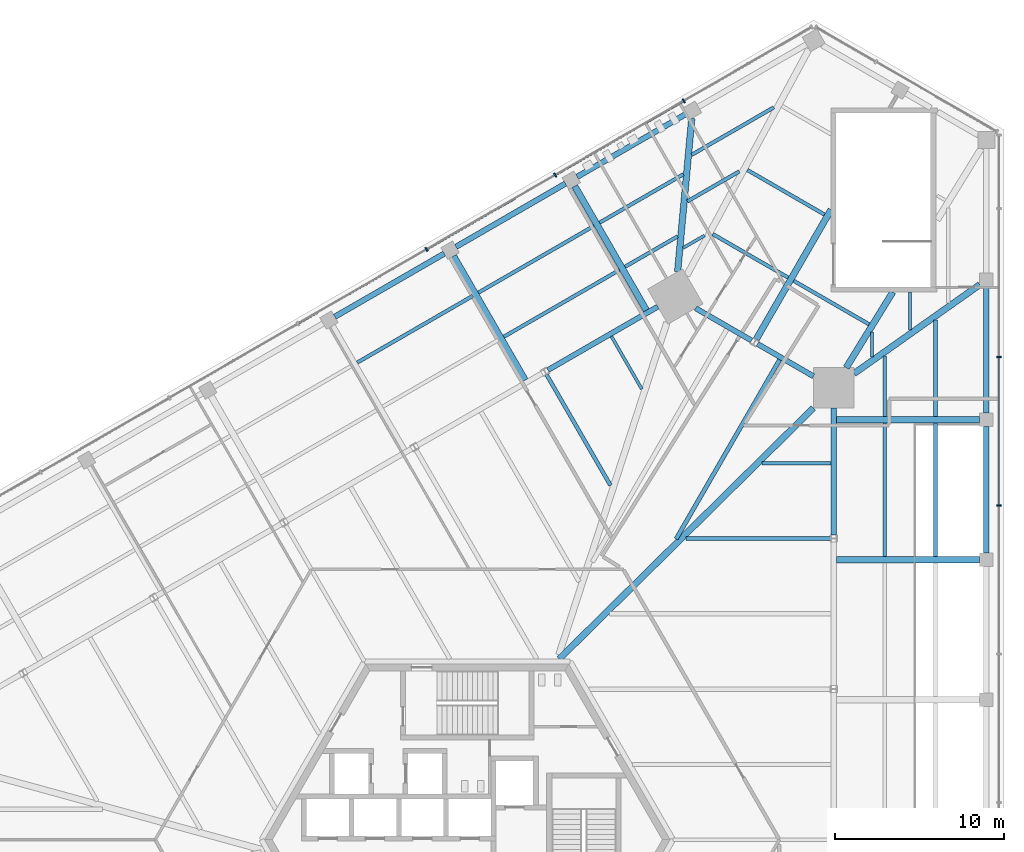
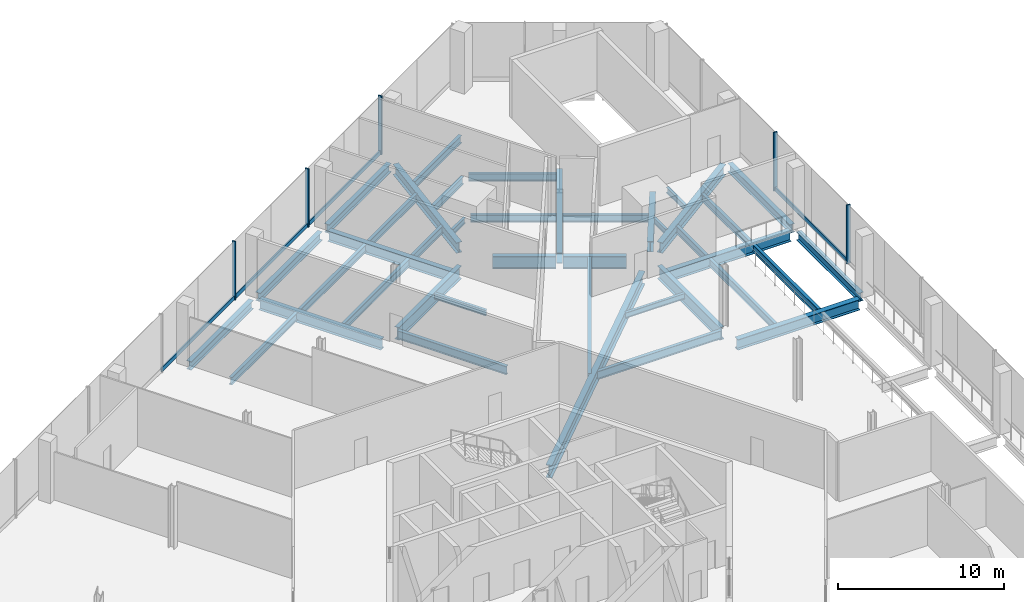
# One storey, part 14 of 25: 40 beams, 9 members, 2 elements without a shape of their own.
"""IFC4 building model written with IfcOpenShell, lengths in metres."""

from ifc_helpers import new_model, si_unit, direction, frame, origin, origin_2d, place, context, subcontext, project, spatial, rectangle, i_section, extrude, source, transform, mapped, material, material_profile, profile_set, type_object, element, aggregate, save


model = new_model("IFC4")

# Units and contexts
model_context = context("Model", 3, precision=1e-05, world=origin(), true_north=direction((0.0, 1.0)))
body_context = subcontext(model_context, "Body", "Model", "MODEL_VIEW")
ifc_project = project(units=[si_unit("LENGTHUNIT", "METRE"), si_unit("AREAUNIT", "SQUARE_METRE"), si_unit("VOLUMEUNIT", "CUBIC_METRE"), si_unit("PLANEANGLEUNIT", "RADIAN"), si_unit("MASSUNIT", "GRAM", prefix="KILO")], contexts=[model_context])

# Site, building, storey
site_placement = place(None, origin())
site = spatial("IfcSite", under=ifc_project, at=site_placement, CompositionType="ELEMENT")
building_placement = place(site_placement, origin())
building = spatial("IfcBuilding", under=site, at=building_placement, Name="Triune Harvest Tower", CompositionType="ELEMENT")
storey_placement = place(building_placement, frame((0.0, 0.0, 11.5)))
storey = spatial("IfcBuildingStorey", under=building, at=storey_placement, Name="L02", CompositionType="ELEMENT", Elevation=11.5)

# Beams
ifc_material_1 = material(Name="Steel ASTM A992 Gr 50", Category="steel")
ifc_material_profile_1 = material_profile(ifc_material_1, i_section(OverallWidth=0.309814453125, OverallDepth=0.93212890625, WebThickness=0.02099609375, FlangeThickness=0.034423828125, at=origin_2d()), Name="W36x210")
ifc_profile_set_1 = profile_set([ifc_material_profile_1], Name="Steel ASTM A992 Gr 50")
beam_type_1 = type_object("IfcBeamType", Name="SB-3 Spandrel beam W36x210", PredefinedType="SPANDREL", material=ifc_profile_set_1)
shared_shape_1 = source(origin(), body_context, "Body", "SweptSolid", [
    extrude(i_section(OverallWidth=0.309814453125, OverallDepth=0.93212890625, WebThickness=0.02099609375, FlangeThickness=0.034423828125, at=origin_2d()), origin(), (0.0, 0.0, 1.0), 7.508056640625),
])
beam_1_placement = place(storey_placement, frame((21.679443359375, 18.02197265625, -0.666015625), z_axis=(0.0, 1.0, 0.0), x_axis=(-1.0, 0.0, 0.0)))
element("IfcBeam", 1, at=beam_1_placement, inside=storey, type_object=beam_type_1, Name="beam/L02/SB6", PredefinedType="SPANDREL", context=body_context, shape_type="MappedRepresentation", body=[
    mapped(shared_shape_1, transform((0.0, 0.0, 0.0), scale=1.0)),
])
shared_shape_2 = source(origin(), body_context, "Body", "SweptSolid", [
    extrude(i_section(OverallWidth=0.309814453125, OverallDepth=0.93212890625, WebThickness=0.02099609375, FlangeThickness=0.034423828125, at=origin_2d()), origin(), (0.0, 0.0, 1.0), 3.822265625),
])
beam_2_placement = place(storey_placement, frame((20.4794921875, 27.4228515625, -0.666015625), z_axis=(-0.866033487859, 0.499985997711, 0.0), x_axis=(-0.499985997711, -0.866033487859, 0.0)))
element("IfcBeam", 2, at=beam_2_placement, inside=storey, type_object=beam_type_1, Name="beam/L02/SB7", PredefinedType="SPANDREL", context=body_context, shape_type="MappedRepresentation", body=[
    mapped(shared_shape_2, transform((0.0, 0.0, 0.0), scale=1.0)),
])
shared_shape_3 = source(origin(), body_context, "Body", "SweptSolid", [
    extrude(i_section(OverallWidth=0.309814453125, OverallDepth=0.93212890625, WebThickness=0.02099609375, FlangeThickness=0.034423828125, at=origin_2d()), origin(), (0.0, 0.0, 1.0), 3.822509765625),
])
beam_3_placement = place(storey_placement, frame((16.8193359375, 29.535888671875, -0.666015625), z_axis=(-0.866005830769, 0.500033899925, 0.0), x_axis=(-0.500033899925, -0.866005830769, 0.0)))
element("IfcBeam", 3, at=beam_3_placement, inside=storey, type_object=beam_type_1, Name="beam/L02/SB8", PredefinedType="SPANDREL", context=body_context, shape_type="MappedRepresentation", body=[
    mapped(shared_shape_3, transform((0.0, 0.0, 0.0), scale=1.0)),
])
shared_shape_4 = source(origin(), body_context, "Body", "SweptSolid", [
    extrude(i_section(OverallWidth=0.309814453125, OverallDepth=0.93212890625, WebThickness=0.02099609375, FlangeThickness=0.034423828125, at=origin_2d()), origin(), (0.0, 0.0, 1.0), 7.50830078125),
])
beam_4_placement = place(storey_placement, frame((11.27001953125, 31.5400390625, -0.666015625), z_axis=(-0.866027474485, -0.499996413425, 0.0), x_axis=(0.499996413425, -0.866027474485, 0.0)))
element("IfcBeam", 4, at=beam_4_placement, inside=storey, type_object=beam_type_1, Name="beam/L02/SB9", PredefinedType="SPANDREL", context=body_context, shape_type="MappedRepresentation", body=[
    mapped(shared_shape_4, transform((0.0, 0.0, 0.0), scale=1.0)),
])
ifc_material_2 = material(Name="Steel ASTM A992 Gr 50", Category="steel")
ifc_material_profile_2 = material_profile(ifc_material_2, i_section(OverallWidth=0.383544921875, OverallDepth=0.9423828125, WebThickness=0.022216796875, FlangeThickness=0.039794921875, at=origin_2d()), Name="W36x232")
ifc_profile_set_2 = profile_set([ifc_material_profile_2], Name="Steel ASTM A992 Gr 50")
beam_type_2 = type_object("IfcBeamType", Name="HG-1 Hip girder W36x232", PredefinedType="BEAM", material=ifc_profile_set_2)
shared_shape_5 = source(origin(), body_context, "Body", "SweptSolid", [
    extrude(i_section(OverallWidth=0.383544921875, OverallDepth=0.9423828125, WebThickness=0.022216796875, FlangeThickness=0.039794921875, at=origin_2d()), origin(), (0.0, 0.0, 1.0), 21.132568359375),
])
beam_5_placement = place(storey_placement, frame((20.4794921875, 25.545166015625, -0.671142578125), z_axis=(-0.711563602244, -0.7026216905, 0.0), x_axis=(0.7026216905, -0.711563602244, 0.0)))
element("IfcBeam", 5, at=beam_5_placement, inside=storey, type_object=beam_type_2, Name="beam/L02/HG2", PredefinedType="BEAM", context=body_context, shape_type="MappedRepresentation", body=[
    mapped(shared_shape_5, transform((0.0, 0.0, 0.0), scale=1.0)),
])
ifc_material_3 = material(Name="Steel ASTM A992 Gr 50", Category="steel")
ifc_material_profile_3 = material_profile(ifc_material_3, i_section(OverallWidth=0.180908203125, OverallDepth=0.41650390625, WebThickness=0.010986328125, FlangeThickness=0.01806640625, at=origin_2d()), Name="W16x57")
ifc_profile_set_3 = profile_set([ifc_material_profile_3], Name="Steel ASTM A992 Gr 50")
beam_type_3 = type_object("IfcBeamType", Name="JT-1 Floor joist W16x57", PredefinedType="JOIST", material=ifc_profile_set_3)
shared_shape_6 = source(origin(), body_context, "Body", "SweptSolid", [
    extrude(i_section(OverallWidth=0.180908203125, OverallDepth=0.41650390625, WebThickness=0.010986328125, FlangeThickness=0.01806640625, at=origin_2d()), origin(), (0.0, 0.0, 1.0), 3.596923828125),
])
beam_6_placement = place(storey_placement, frame((8.5283203125, 29.7783203125, -0.408203125), z_axis=(0.500029927959, -0.86600812418, 0.0), x_axis=(0.86600812418, 0.500029927959, 0.0)))
element("IfcBeam", 6, at=beam_6_placement, inside=storey, type_object=beam_type_3, Name="beam/L02/JT14", PredefinedType="JOIST", context=body_context, shape_type="MappedRepresentation", body=[
    mapped(shared_shape_6, transform((0.0, 0.0, 0.0), scale=1.0)),
])
ifc_material_4 = material(Name="Steel ASTM A992 Gr 50", Category="steel")
ifc_material_profile_4 = material_profile(ifc_material_4, i_section(OverallWidth=0.22900390625, OverallDepth=0.612060546875, WebThickness=0.011962890625, FlangeThickness=0.01953125, at=origin_2d()), Name="W24x84")
ifc_profile_set_4 = profile_set([ifc_material_profile_4], Name="Steel ASTM A992 Gr 50")
beam_type_4 = type_object("IfcBeamType", Name="JT-3 Floor joist W24x84", PredefinedType="JOIST", material=ifc_profile_set_4)
shared_shape_7 = source(origin(), body_context, "Body", "SweptSolid", [
    extrude(i_section(OverallWidth=0.22900390625, OverallDepth=0.612060546875, WebThickness=0.011962890625, FlangeThickness=0.01953125, at=origin_2d()), origin(), (0.0, 0.0, 1.0), 8.54736328125),
])
beam_7_placement = place(storey_placement, frame((21.476318359375, 17.820068359375, -0.506103515625), z_axis=(-1.0, 0.0, 0.0), x_axis=(0.0, -1.0, 0.0)))
element("IfcBeam", 7, at=beam_7_placement, inside=storey, type_object=beam_type_4, Name="beam/L02/JT10", PredefinedType="JOIST", context=body_context, shape_type="MappedRepresentation", body=[
    mapped(shared_shape_7, transform((0.0, 0.0, 0.0), scale=1.0)),
])
shared_shape_8 = source(origin(), body_context, "Body", "SweptSolid", [
    extrude(i_section(OverallWidth=0.180908203125, OverallDepth=0.41650390625, WebThickness=0.010986328125, FlangeThickness=0.01806640625, at=origin_2d()), origin(), (0.0, 0.0, 1.0), 4.083984375),
])
beam_8_placement = place(storey_placement, frame((21.524658203125, 22.27490234375, -0.408203125), z_axis=(-1.0, 0.0, 0.0), x_axis=(0.0, -1.0, 0.0)))
element("IfcBeam", 8, at=beam_8_placement, inside=storey, type_object=beam_type_3, Name="beam/L02/JT11", PredefinedType="JOIST", context=body_context, shape_type="MappedRepresentation", body=[
    mapped(shared_shape_8, transform((0.0, 0.0, 0.0), scale=1.0)),
])
ifc_material_5 = material(Name="Steel ASTM A992 Gr 50", Category="steel")
ifc_material_profile_5 = material_profile(ifc_material_5, i_section(OverallWidth=0.253662109375, OverallDepth=0.683349609375, WebThickness=0.012451171875, FlangeThickness=0.01904296875, at=origin_2d()), Name="W27x94")
ifc_profile_set_5 = profile_set([ifc_material_profile_5], Name="Steel ASTM A992 Gr 50")
beam_type_5 = type_object("IfcBeamType", Name="JT-4 Floor joist W27x94", PredefinedType="JOIST", material=ifc_profile_set_5)
shared_shape_9 = source(origin(), body_context, "Body", "SweptSolid", [
    extrude(i_section(OverallWidth=0.253662109375, OverallDepth=0.683349609375, WebThickness=0.012451171875, FlangeThickness=0.01904296875, at=origin_2d()), origin(), (0.0, 0.0, 1.0), 12.24853515625),
])
beam_9_placement = place(storey_placement, frame((18.478515625, 28.399169921875, -0.54150390625), z_axis=(-0.500004268083, -0.866022939592, 0.0), x_axis=(0.866022939592, -0.500004268083, 0.0)))
element("IfcBeam", 9, at=beam_9_placement, inside=storey, type_object=beam_type_5, Name="beam/L02/JT12", PredefinedType="JOIST", context=body_context, shape_type="MappedRepresentation", body=[
    mapped(shared_shape_9, transform((0.0, 0.0, 0.0), scale=1.0)),
])
shared_shape_10 = source(origin(), body_context, "Body", "SweptSolid", [
    extrude(i_section(OverallWidth=0.22900390625, OverallDepth=0.612060546875, WebThickness=0.011962890625, FlangeThickness=0.01953125, at=origin_2d()), origin(), (0.0, 0.0, 1.0), 7.55859375),
])
beam_10_placement = place(storey_placement, frame((4.6943359375, 27.509033203125, -0.506103515625), z_axis=(0.500002049001, -0.86602422079, 0.0), x_axis=(0.86602422079, 0.500002049001, 0.0)))
element("IfcBeam", 10, at=beam_10_placement, inside=storey, type_object=beam_type_4, Name="beam/L02/JT15", PredefinedType="JOIST", context=body_context, shape_type="MappedRepresentation", body=[
    mapped(shared_shape_10, transform((0.0, 0.0, 0.0), scale=1.0)),
])
ifc_material_6 = material(Name="Steel ASTM A992 Gr 50", Category="steel")
ifc_material_profile_6 = material_profile(ifc_material_6, i_section(OverallWidth=0.32763671875, OverallDepth=0.62744140625, WebThickness=0.0166015625, FlangeThickness=0.027587890625, at=origin_2d()), Name="W24x146")
ifc_profile_set_6 = profile_set([ifc_material_profile_6], Name="Steel ASTM A992 Gr 50")
beam_type_6 = type_object("IfcBeamType", Name="PD-4 Podium edge beam W24x146", PredefinedType="BEAM", material=ifc_profile_set_6)
shared_shape_11 = source(origin(), body_context, "Body", "SweptSolid", [
    extrude(i_section(OverallWidth=0.32763671875, OverallDepth=0.62744140625, WebThickness=0.0166015625, FlangeThickness=0.027587890625, at=origin_2d()), origin(), (0.0, 0.0, 1.0), 7.47998046875),
])
for number, where, z_axis, x_axis, name in (
    (11, (30.715087890625, 16.9599609375, -0.513671875), (0.0, 1.0, 0.0), (-1.0, 0.0, 0.0), "beam/L02/PE8"),
    (12, (30.715087890625, 25.239990234375, -0.513671875), (0.0, 1.0, 0.0), (-1.0, 0.0, 0.0), "beam/L02/PE9"),
    (13, (12.978759765625, 42.9599609375, -0.513671875), (-0.866023067432, -0.500004046659, 0.0), (0.500004046659, -0.866023067432, 0.0), "beam/L02/PE15"),
):
    element("IfcBeam", number, at=place(storey_placement, frame(where, z_axis=z_axis, x_axis=x_axis)), inside=storey, type_object=beam_type_6, Name=name, PredefinedType="BEAM", context=body_context, shape_type="MappedRepresentation", body=[
        mapped(shared_shape_11, transform((0.0, 0.0, 0.0), scale=1.0)),
    ])
shared_shape_12 = source(origin(), body_context, "Body", "SweptSolid", [
    extrude(i_section(OverallWidth=0.32763671875, OverallDepth=0.62744140625, WebThickness=0.0166015625, FlangeThickness=0.027587890625, at=origin_2d()), origin(), (0.0, 0.0, 1.0), 7.480224609375),
])
for number, where, z_axis, x_axis, name in (
    (14, (5.80810546875, 38.820068359375, -0.513671875), (-0.866031227086, -0.49998991361, 0.0), (0.49998991361, -0.866031227086, 0.0), "beam/L02/PE16"),
    (15, (-1.362548828125, 34.679931640625, -0.513671875), (-0.866031227086, -0.49998991361, 0.0), (0.49998991361, -0.866031227086, 0.0), "beam/L02/PE17"),
):
    element("IfcBeam", number, at=place(storey_placement, frame(where, z_axis=z_axis, x_axis=x_axis)), inside=storey, type_object=beam_type_6, Name=name, PredefinedType="BEAM", context=body_context, shape_type="MappedRepresentation", body=[
        mapped(shared_shape_12, transform((0.0, 0.0, 0.0), scale=1.0)),
    ])
ifc_material_7 = material(Name="Steel ASTM A992 Gr 50", Category="steel")
ifc_material_profile_7 = material_profile(ifc_material_7, i_section(OverallWidth=0.381103515625, OverallDepth=0.772216796875, WebThickness=0.0166015625, FlangeThickness=0.027099609375, at=origin_2d()), Name="W30x173")
ifc_profile_set_7 = profile_set([ifc_material_profile_7], Name="Steel ASTM A992 Gr 50")
beam_type_7 = type_object("IfcBeamType", Name="PD-3 Podium girder W30x173", PredefinedType="BEAM", material=ifc_profile_set_7)
shared_shape_13 = source(origin(), body_context, "Body", "SweptSolid", [
    extrude(i_section(OverallWidth=0.381103515625, OverallDepth=0.772216796875, WebThickness=0.0166015625, FlangeThickness=0.027099609375, at=origin_2d()), origin(), (0.0, 0.0, 1.0), 5.249755859375),
])
beam_11_placement = place(storey_placement, frame((25.171875, 32.39990234375, -0.586181640625), z_axis=(-0.524432098378, -0.851452273584, 0.0), x_axis=(0.851452273584, -0.524432098378, 0.0)))
element("IfcBeam", 16, at=beam_11_placement, inside=storey, type_object=beam_type_7, Name="beam/L02/PR13", PredefinedType="BEAM", context=body_context, shape_type="MappedRepresentation", body=[
    mapped(shared_shape_13, transform((0.0, 0.0, 0.0), scale=1.0)),
])
shared_shape_14 = source(origin(), body_context, "Body", "SweptSolid", [
    extrude(i_section(OverallWidth=0.381103515625, OverallDepth=0.772216796875, WebThickness=0.0166015625, FlangeThickness=0.027099609375, at=origin_2d()), origin(), (0.0, 0.0, 1.0), 9.107421875),
])
beam_12_placement = place(storey_placement, frame((30.315185546875, 32.837158203125, -0.586181640625), z_axis=(-0.816463107169, -0.577397605323, 0.0), x_axis=(0.577397605323, -0.816463107169, 0.0)))
element("IfcBeam", 17, at=beam_12_placement, inside=storey, type_object=beam_type_7, Name="beam/L02/PR11", PredefinedType="BEAM", context=body_context, shape_type="MappedRepresentation", body=[
    mapped(shared_shape_14, transform((0.0, 0.0, 0.0), scale=1.0)),
])
shared_shape_15 = source(origin(), body_context, "Body", "SweptSolid", [
    extrude(i_section(OverallWidth=0.381103515625, OverallDepth=0.772216796875, WebThickness=0.0166015625, FlangeThickness=0.027099609375, at=origin_2d()), origin(), (0.0, 0.0, 1.0), 8.480712890625),
])
for number, where, z_axis, x_axis, name in (
    (18, (30.315185546875, 16.56005859375, -0.586181640625), (-1.0, 0.0, 0.0), (0.0, -1.0, 0.0), "beam/L02/PR9"),
    (19, (30.315185546875, 24.840087890625, -0.586181640625), (-1.0, 0.0, 0.0), (0.0, -1.0, 0.0), "beam/L02/PR10"),
    (20, (6.3544921875, 38.673583984375, -0.586181640625), (0.499990755813, -0.866030740852, 0.0), (0.866030740852, 0.499990755813, 0.0), "beam/L02/PR18"),
    (21, (-0.816162109375, 34.53369140625, -0.586181640625), (0.499990755813, -0.866030740852, 0.0), (0.866030740852, 0.499990755813, 0.0), "beam/L02/PR19"),
):
    element("IfcBeam", number, at=place(storey_placement, frame(where, z_axis=z_axis, x_axis=x_axis)), inside=storey, type_object=beam_type_7, Name=name, PredefinedType="BEAM", context=body_context, shape_type="MappedRepresentation", body=[
        mapped(shared_shape_15, transform((0.0, 0.0, 0.0), scale=1.0)),
    ])
shared_shape_16 = source(origin(), body_context, "Body", "SweptSolid", [
    extrude(i_section(OverallWidth=0.381103515625, OverallDepth=0.772216796875, WebThickness=0.0166015625, FlangeThickness=0.027099609375, at=origin_2d()), origin(), (0.0, 0.0, 1.0), 8.84814453125),
])
beam_13_placement = place(storey_placement, frame((21.52001953125, 37.273681640625, -0.586181640625), z_axis=(-0.500005886554, -0.866022005154, 0.0), x_axis=(0.866022005154, -0.500005886554, 0.0)))
element("IfcBeam", 22, at=beam_13_placement, inside=storey, type_object=beam_type_7, Name="beam/L02/PR15", PredefinedType="BEAM", context=body_context, shape_type="MappedRepresentation", body=[
    mapped(shared_shape_16, transform((0.0, 0.0, 0.0), scale=1.0)),
])
shared_shape_17 = source(origin(), body_context, "Body", "SweptSolid", [
    extrude(i_section(OverallWidth=0.381103515625, OverallDepth=0.772216796875, WebThickness=0.0166015625, FlangeThickness=0.027099609375, at=origin_2d()), origin(), (0.0, 0.0, 1.0), 9.107177734375),
])
beam_14_placement = place(storey_placement, frame((13.2802734375, 42.672119140625, -0.586181640625), z_axis=(-0.091816732647, -0.995775922387, 0.0), x_axis=(0.995775922387, -0.091816732647, 0.0)))
element("IfcBeam", 23, at=beam_14_placement, inside=storey, type_object=beam_type_7, Name="beam/L02/PR17", PredefinedType="BEAM", context=body_context, shape_type="MappedRepresentation", body=[
    mapped(shared_shape_17, transform((0.0, 0.0, 0.0), scale=1.0)),
])
ifc_material_8 = material(Name="Steel ASTM A992 Gr 50", Category="steel")
ifc_material_profile_8 = material_profile(ifc_material_8, i_section(OverallWidth=0.180908203125, OverallDepth=0.41650390625, WebThickness=0.010986328125, FlangeThickness=0.01806640625, at=origin_2d()), Name="W16x57")
ifc_profile_set_8 = profile_set([ifc_material_profile_8], Name="Steel ASTM A992 Gr 50")
beam_type_8 = type_object("IfcBeamType", Name="PD-6 Podium short joist W16x57", PredefinedType="JOIST", material=ifc_profile_set_8)
shared_shape_18 = source(origin(), body_context, "Body", "SweptSolid", [
    extrude(i_section(OverallWidth=0.180908203125, OverallDepth=0.41650390625, WebThickness=0.010986328125, FlangeThickness=0.01806640625, at=origin_2d()), origin(), (0.0, 0.0, 1.0), 2.24169921875),
])
beam_15_placement = place(storey_placement, frame((26.197265625, 30.158203125, -0.408203125), z_axis=(0.0, 1.0, 0.0), x_axis=(-1.0, 0.0, 0.0)))
element("IfcBeam", 24, at=beam_15_placement, inside=storey, type_object=beam_type_8, Name="beam/L02/PJ21", PredefinedType="JOIST", context=body_context, shape_type="MappedRepresentation", body=[
    mapped(shared_shape_18, transform((0.0, 0.0, 0.0), scale=1.0)),
])
shared_shape_19 = source(origin(), body_context, "Body", "SweptSolid", [
    extrude(i_section(OverallWidth=0.180908203125, OverallDepth=0.41650390625, WebThickness=0.010986328125, FlangeThickness=0.01806640625, at=origin_2d()), origin(), (0.0, 0.0, 1.0), 1.473388671875),
])
for number, where, z_axis, x_axis, name in (
    (25, (23.9384765625, 28.560791015625, -0.408203125), (0.0, 1.0, 0.0), (-1.0, 0.0, 0.0), "beam/L02/PJ22"),
    (26, (14.041259765625, 35.748291015625, -0.408203125), (-0.866083503307, -0.499899355171, 0.0), (0.499899355171, -0.866083503307, 0.0), "beam/L02/PJ30"),
):
    element("IfcBeam", number, at=place(storey_placement, frame(where, z_axis=z_axis, x_axis=x_axis)), inside=storey, type_object=beam_type_8, Name=name, PredefinedType="JOIST", context=body_context, shape_type="MappedRepresentation", body=[
        mapped(shared_shape_19, transform((0.0, 0.0, 0.0), scale=1.0)),
    ])
ifc_material_9 = material(Name="Steel ASTM A992 Gr 50", Category="steel")
ifc_material_profile_9 = material_profile(ifc_material_9, i_section(OverallWidth=0.2138671875, OverallDepth=0.548583984375, WebThickness=0.0146484375, FlangeThickness=0.023681640625, at=origin_2d()), Name="W21x93")
ifc_profile_set_9 = profile_set([ifc_material_profile_9], Name="Steel ASTM A992 Gr 50")
beam_type_9 = type_object("IfcBeamType", Name="PD-5 Podium joist W21x93", PredefinedType="JOIST", material=ifc_profile_set_9)
shared_shape_20 = source(origin(), body_context, "Body", "SweptSolid", [
    extrude(i_section(OverallWidth=0.2138671875, OverallDepth=0.548583984375, WebThickness=0.0146484375, FlangeThickness=0.023681640625, at=origin_2d()), origin(), (0.0, 0.0, 1.0), 5.72607421875),
])
beam_16_placement = place(storey_placement, frame((27.703125, 25.030517578125, -0.474365234375), z_axis=(0.0, 1.0, 0.0), x_axis=(-1.0, 0.0, 0.0)))
element("IfcBeam", 27, at=beam_16_placement, inside=storey, type_object=beam_type_9, Name="beam/L02/PJ18", PredefinedType="JOIST", context=body_context, shape_type="MappedRepresentation", body=[
    mapped(shared_shape_20, transform((0.0, 0.0, 0.0), scale=1.0)),
])
shared_shape_21 = source(origin(), body_context, "Body", "SweptSolid", [
    extrude(i_section(OverallWidth=0.2138671875, OverallDepth=0.548583984375, WebThickness=0.0146484375, FlangeThickness=0.023681640625, at=origin_2d()), origin(), (0.0, 0.0, 1.0), 3.59619140625),
])
for number, where, z_axis, x_axis, name in (
    (28, (24.69140625, 25.030517578125, -0.474365234375), (0.0, 1.0, 0.0), (-1.0, 0.0, 0.0), "beam/L02/PJ19"),
    (29, (12.44580078125, 35.696533203125, -0.474365234375), (-0.866062364587, -0.499935976547, 0.0), (0.499935976547, -0.866062364587, 0.0), "beam/L02/PJ32"),
):
    element("IfcBeam", number, at=place(storey_placement, frame(where, z_axis=z_axis, x_axis=x_axis)), inside=storey, type_object=beam_type_9, Name=name, PredefinedType="JOIST", context=body_context, shape_type="MappedRepresentation", body=[
        mapped(shared_shape_21, transform((0.0, 0.0, 0.0), scale=1.0)),
    ])
shared_shape_22 = source(origin(), body_context, "Body", "SweptSolid", [
    extrude(i_section(OverallWidth=0.2138671875, OverallDepth=0.548583984375, WebThickness=0.0146484375, FlangeThickness=0.023681640625, at=origin_2d()), origin(), (0.0, 0.0, 1.0), 7.89892578125),
])
for number, where, z_axis, x_axis, name in (
    (30, (27.703125, 16.75048828125, -0.474365234375), (0.0, 1.0, 0.0), (-1.0, 0.0, 0.0), "beam/L02/PJ16"),
    (31, (24.69140625, 16.75048828125, -0.474365234375), (0.0, 1.0, 0.0), (-1.0, 0.0, 0.0), "beam/L02/PJ17"),
    (32, (7.495361328125, 36.31640625, -0.474365234375), (-0.866022421773, -0.50000516496, 0.0), (0.50000516496, -0.866022421773, 0.0), "beam/L02/PJ33"),
):
    element("IfcBeam", number, at=place(storey_placement, frame(where, z_axis=z_axis, x_axis=x_axis)), inside=storey, type_object=beam_type_9, Name=name, PredefinedType="JOIST", context=body_context, shape_type="MappedRepresentation", body=[
        mapped(shared_shape_22, transform((0.0, 0.0, 0.0), scale=1.0)),
    ])
shared_shape_23 = source(origin(), body_context, "Body", "SweptSolid", [
    extrude(i_section(OverallWidth=0.2138671875, OverallDepth=0.548583984375, WebThickness=0.0146484375, FlangeThickness=0.023681640625, at=origin_2d()), origin(), (0.0, 0.0, 1.0), 7.899169921875),
])
for number, where, z_axis, x_axis, name in (
    (33, (9.00146484375, 33.7080078125, -0.474365234375), (-0.866030148722, -0.499991781437, 0.0), (0.499991781437, -0.866030148722, 0.0), "beam/L02/PJ34"),
    (34, (0.32470703125, 32.176513671875, -0.474365234375), (-0.866016765394, -0.500014961832, 0.0), (0.500014961832, -0.866016765394, 0.0), "beam/L02/PJ35"),
):
    element("IfcBeam", number, at=place(storey_placement, frame(where, z_axis=z_axis, x_axis=x_axis)), inside=storey, type_object=beam_type_9, Name=name, PredefinedType="JOIST", context=body_context, shape_type="MappedRepresentation", body=[
        mapped(shared_shape_23, transform((0.0, 0.0, 0.0), scale=1.0)),
    ])
shared_shape_24 = source(origin(), body_context, "Body", "SweptSolid", [
    extrude(i_section(OverallWidth=0.2138671875, OverallDepth=0.548583984375, WebThickness=0.0146484375, FlangeThickness=0.023681640625, at=origin_2d()), origin(), (0.0, 0.0, 1.0), 5.151611328125),
])
beam_17_placement = place(storey_placement, frame((23.7734375, 30.492919921875, -0.474365234375), z_axis=(-0.866035639972, 0.499982269985, 0.0), x_axis=(-0.499982269985, -0.866035639972, 0.0)))
element("IfcBeam", 35, at=beam_17_placement, inside=storey, type_object=beam_type_9, Name="beam/L02/PJ24", PredefinedType="JOIST", context=body_context, shape_type="MappedRepresentation", body=[
    mapped(shared_shape_24, transform((0.0, 0.0, 0.0), scale=1.0)),
])
shared_shape_25 = source(origin(), body_context, "Body", "SweptSolid", [
    extrude(i_section(OverallWidth=0.2138671875, OverallDepth=0.548583984375, WebThickness=0.0146484375, FlangeThickness=0.023681640625, at=origin_2d()), origin(), (0.0, 0.0, 1.0), 5.27392578125),
])
beam_18_placement = place(storey_placement, frame((21.135009765625, 36.98779296875, -0.474365234375), z_axis=(-0.866026783594, 0.499997610092, 0.0), x_axis=(-0.499997610092, -0.866026783594, 0.0)))
element("IfcBeam", 36, at=beam_18_placement, inside=storey, type_object=beam_type_9, Name="beam/L02/PJ26", PredefinedType="JOIST", context=body_context, shape_type="MappedRepresentation", body=[
    mapped(shared_shape_25, transform((0.0, 0.0, 0.0), scale=1.0)),
])
shared_shape_26 = source(origin(), body_context, "Body", "SweptSolid", [
    extrude(i_section(OverallWidth=0.2138671875, OverallDepth=0.548583984375, WebThickness=0.0146484375, FlangeThickness=0.023681640625, at=origin_2d()), origin(), (0.0, 0.0, 1.0), 5.1513671875),
])
beam_19_placement = place(storey_placement, frame((18.982177734375, 33.259033203125, -0.474365234375), z_axis=(-0.866023792161, 0.500002791403, 0.0), x_axis=(-0.500002791403, -0.866023792161, 0.0)))
element("IfcBeam", 37, at=beam_19_placement, inside=storey, type_object=beam_type_9, Name="beam/L02/PJ27", PredefinedType="JOIST", context=body_context, shape_type="MappedRepresentation", body=[
    mapped(shared_shape_26, transform((0.0, 0.0, 0.0), scale=1.0)),
])
shared_shape_27 = source(origin(), body_context, "Body", "SweptSolid", [
    extrude(i_section(OverallWidth=0.2138671875, OverallDepth=0.548583984375, WebThickness=0.0146484375, FlangeThickness=0.023681640625, at=origin_2d()), origin(), (0.0, 0.0, 1.0), 5.61376953125),
])
beam_20_placement = place(storey_placement, frame((18.134765625, 43.328369140625, -0.474365234375), z_axis=(-0.866021183736, -0.500007309266, 0.0), x_axis=(0.500007309266, -0.866021183736, 0.0)))
element("IfcBeam", 38, at=beam_20_placement, inside=storey, type_object=beam_type_9, Name="beam/L02/PJ28", PredefinedType="JOIST", context=body_context, shape_type="MappedRepresentation", body=[
    mapped(shared_shape_27, transform((0.0, 0.0, 0.0), scale=1.0)),
])
shared_shape_28 = source(origin(), body_context, "Body", "SweptSolid", [
    extrude(i_section(OverallWidth=0.2138671875, OverallDepth=0.548583984375, WebThickness=0.0146484375, FlangeThickness=0.023681640625, at=origin_2d()), origin(), (0.0, 0.0, 1.0), 3.54345703125),
])
beam_21_placement = place(storey_placement, frame((16.087890625, 39.538330078125, -0.474365234375), z_axis=(-0.866016916595, -0.500014699955, 0.0), x_axis=(0.500014699955, -0.866016916595, 0.0)))
element("IfcBeam", 39, at=beam_21_placement, inside=storey, type_object=beam_type_9, Name="beam/L02/PJ29", PredefinedType="JOIST", context=body_context, shape_type="MappedRepresentation", body=[
    mapped(shared_shape_28, transform((0.0, 0.0, 0.0), scale=1.0)),
])
shared_shape_29 = source(origin(), body_context, "Body", "SweptSolid", [
    extrude(i_section(OverallWidth=0.2138671875, OverallDepth=0.548583984375, WebThickness=0.0146484375, FlangeThickness=0.023681640625, at=origin_2d()), origin(), (0.0, 0.0, 1.0), 5.726318359375),
])
beam_22_placement = place(storey_placement, frame((12.784423828125, 39.3701171875, -0.474365234375), z_axis=(-0.866009501729, -0.500027542156, 0.0), x_axis=(0.500027542156, -0.866009501729, 0.0)))
element("IfcBeam", 40, at=beam_22_placement, inside=storey, type_object=beam_type_9, Name="beam/L02/PJ31", PredefinedType="JOIST", context=body_context, shape_type="MappedRepresentation", body=[
    mapped(shared_shape_29, transform((0.0, 0.0, 0.0), scale=1.0)),
])

# Curtain wall, members
ifc_material_10 = material(Name="Aluminium bronze anodised", Category="aluminium")
curtain_wall_type = type_object("IfcCurtainWallType", Name="CW-2 Podium shopfront wall", PredefinedType="NOTDEFINED", material=ifc_material_10)
curtain_wall_1_placement = place(storey_placement, origin())
curtain_wall_1 = element("IfcCurtainWall", 41, at=curtain_wall_1_placement, inside=storey, type_object=curtain_wall_type, Name="CW-2 PD-F1 L02 run 1")
ifc_material_11 = material(Name="Aluminium bronze anodised", Category="aluminium")
ifc_material_profile_10 = material_profile(ifc_material_11, rectangle(XDim=0.25, YDim=0.090087890625, at=origin_2d()), Name="MU-2 mullion 90 x 250")
ifc_profile_set_10 = profile_set([ifc_material_profile_10], Name="Aluminium bronze anodised")
member_type_1 = type_object("IfcMemberType", Name="MU-2 mullion 90 x 250", PredefinedType="MULLION", material=ifc_profile_set_10)
shared_shape_30 = source(origin(), body_context, "Body", "SweptSolid", [
    extrude(rectangle(XDim=0.25, YDim=0.090087890625, at=origin_2d()), origin(), (0.0, 0.0, 1.0), 4.300048828125),
])
member_1_placement = place(storey_placement, frame((31.454345703125, 19.77001953125, 0.0), z_axis=(0.0, 0.0, 1.0), x_axis=(-1.0, 0.0, 0.0)))
member_1 = element("IfcMember", 42, at=member_1_placement, type_object=member_type_1, Name="CW-2 mullion PD-F1 1.15", PredefinedType="MULLION", context=body_context, shape_type="MappedRepresentation", body=[
    mapped(shared_shape_30, transform((0.0, 0.0, 0.0), scale=1.0)),
])
member_2_placement = place(storey_placement, frame((31.454345703125, 28.556640625, 0.0), z_axis=(0.0, 0.0, 1.0), x_axis=(-1.0, 0.0, 0.0)))
member_2 = element("IfcMember", 43, at=member_2_placement, type_object=member_type_1, Name="CW-2 mullion PD-F1 1.17", PredefinedType="MULLION", context=body_context, shape_type="MappedRepresentation", body=[
    mapped(shared_shape_30, transform((0.0, 0.0, 0.0), scale=1.0)),
])

curtain_wall_2_placement = place(storey_placement, origin())
curtain_wall_2 = element("IfcCurtainWall", 44, at=curtain_wall_2_placement, inside=storey, type_object=curtain_wall_type, Name="CW-2 PD-F3 L02 run 1")
member_3_placement = place(storey_placement, frame((12.808349609375, 43.71533203125, 0.0), z_axis=(0.0, 0.0, 1.0), x_axis=(0.500000221117, -0.866025276122, 0.0)))
member_3 = element("IfcMember", 45, at=member_3_placement, type_object=member_type_1, Name="CW-2 mullion PD-F3 1.3", PredefinedType="MULLION", context=body_context, shape_type="MappedRepresentation", body=[
    mapped(shared_shape_30, transform((0.0, 0.0, 0.0), scale=1.0)),
])
member_4_placement = place(storey_placement, frame((5.198974609375, 39.322021484375, 0.0), z_axis=(0.0, 0.0, 1.0), x_axis=(0.500000221117, -0.866025276122, 0.0)))
member_4 = element("IfcMember", 46, at=member_4_placement, type_object=member_type_1, Name="CW-2 mullion PD-F3 1.5", PredefinedType="MULLION", context=body_context, shape_type="MappedRepresentation", body=[
    mapped(shared_shape_30, transform((0.0, 0.0, 0.0), scale=1.0)),
])
member_5_placement = place(storey_placement, frame((-2.41064453125, 34.928466796875, 0.0), z_axis=(0.0, 0.0, 1.0), x_axis=(0.500000221117, -0.866025276122, 0.0)))
member_5 = element("IfcMember", 47, at=member_5_placement, type_object=member_type_1, Name="CW-2 mullion PD-F3 1.7", PredefinedType="MULLION", context=body_context, shape_type="MappedRepresentation", body=[
    mapped(shared_shape_30, transform((0.0, 0.0, 0.0), scale=1.0)),
])
ifc_material_12 = material(Name="Aluminium bronze anodised", Category="aluminium")
ifc_material_profile_11 = material_profile(ifc_material_12, rectangle(XDim=0.10009765625, YDim=0.300048828125, at=origin_2d()), Name="TR-2 transom 100 x 300")
ifc_profile_set_11 = profile_set([ifc_material_profile_11], Name="Aluminium bronze anodised")
member_type_2 = type_object("IfcMemberType", Name="TR-2 transom 100 x 300", PredefinedType="USERDEFINED", material=ifc_profile_set_11)
shared_shape_31 = source(origin(), body_context, "Body", "SweptSolid", [
    extrude(rectangle(XDim=0.10009765625, YDim=0.300048828125, at=origin_2d()), origin(), (0.0, 0.0, 1.0), 8.696533203125),
])
member_6_placement = place(storey_placement, frame((5.159912109375, 39.29931640625, 0.14990234375), z_axis=(-0.866033651025, -0.499985715088, 0.0), x_axis=(0.499985715088, -0.866033651025, 0.0)))
member_6 = element("IfcMember", 48, at=member_6_placement, type_object=member_type_2, Name="CW-2 transom PD-F3 1.3", ObjectType="TRANSOM", PredefinedType="USERDEFINED", context=body_context, shape_type="MappedRepresentation", body=[
    mapped(shared_shape_31, transform((0.0, 0.0, 0.0), scale=1.0)),
])

# Member
shared_shape_32 = source(origin(), body_context, "Body", "SweptSolid", [
    extrude(rectangle(XDim=0.10009765625, YDim=0.300048828125, at=origin_2d()), origin(), (0.0, 0.0, 1.0), 8.69677734375),
])
member_7_placement = place(storey_placement, frame((31.454345703125, 19.81494140625, 0.14990234375), z_axis=(0.0, 1.0, 0.0), x_axis=(-1.0, 0.0, 0.0)))
member_7 = element("IfcMember", 49, at=member_7_placement, type_object=member_type_2, Name="CW-2 transom PD-F1 1.8", ObjectType="TRANSOM", PredefinedType="USERDEFINED", context=body_context, shape_type="MappedRepresentation", body=[
    mapped(shared_shape_32, transform((0.0, 0.0, 0.0), scale=1.0)),
])

aggregate(curtain_wall_1, [member_1, member_2, member_7])

member_8_placement = place(storey_placement, frame((12.76953125, 43.69287109375, 0.14990234375), z_axis=(-0.86602149507, -0.500006770031, 0.0), x_axis=(0.500006770031, -0.86602149507, 0.0)))
member_8 = element("IfcMember", 50, at=member_8_placement, type_object=member_type_2, Name="CW-2 transom PD-F3 1.2", ObjectType="TRANSOM", PredefinedType="USERDEFINED", context=body_context, shape_type="MappedRepresentation", body=[
    mapped(shared_shape_32, transform((0.0, 0.0, 0.0), scale=1.0)),
])

member_9_placement = place(storey_placement, frame((-2.449462890625, 34.906005859375, 0.14990234375), z_axis=(-0.86602149507, -0.500006770031, 0.0), x_axis=(0.500006770031, -0.86602149507, 0.0)))
member_9 = element("IfcMember", 51, at=member_9_placement, type_object=member_type_2, Name="CW-2 transom PD-F3 1.4", ObjectType="TRANSOM", PredefinedType="USERDEFINED", context=body_context, shape_type="MappedRepresentation", body=[
    mapped(shared_shape_32, transform((0.0, 0.0, 0.0), scale=1.0)),
])

aggregate(curtain_wall_2, [member_3, member_4, member_5, member_8, member_6, member_9])

save(model, "model.ifc")
